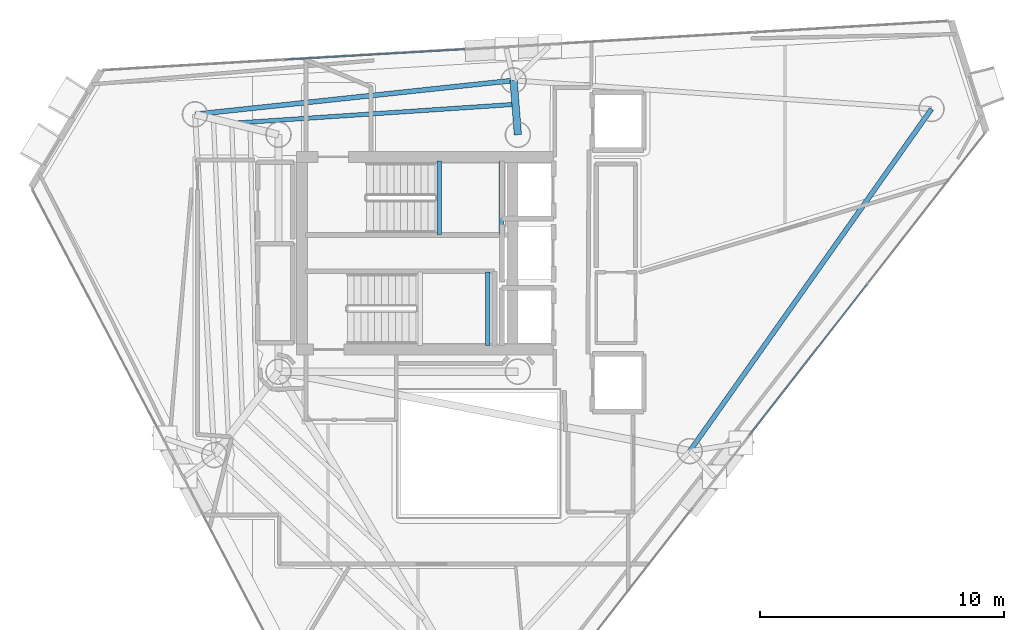
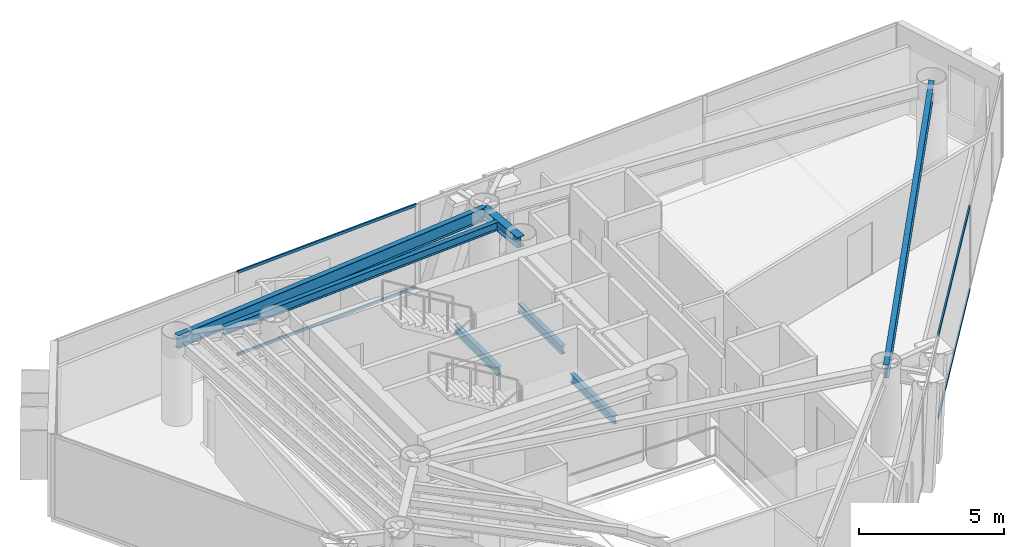
# One storey, part 9 of 18: 7 beams, 4 members, 2 elements without a shape of their own.
"""IFC4 building model written with IfcOpenShell, lengths in metres."""

from ifc_helpers import new_model, si_unit, direction, frame, origin, origin_2d, place, context, subcontext, project, spatial, hollow_rectangle, i_section, extrude, material, layer, layer_set, material_profile, profile_set, type_object, element, aggregate, save


model = new_model("IFC4")

# Units and contexts
model_context = context("Model", 3, precision=1e-05, world=origin(), true_north=direction((0.0, 1.0)))
body_context = subcontext(model_context, "Body", "Model", "MODEL_VIEW")
ifc_project = project(units=[si_unit("LENGTHUNIT", "METRE"), si_unit("AREAUNIT", "SQUARE_METRE"), si_unit("VOLUMEUNIT", "CUBIC_METRE"), si_unit("PLANEANGLEUNIT", "RADIAN"), si_unit("MASSUNIT", "GRAM", prefix="KILO")], contexts=[model_context])

# Site, building, storey
site_placement = place(None, origin())
site = spatial("IfcSite", under=ifc_project, at=site_placement, CompositionType="ELEMENT")
building_placement = place(site_placement, origin())
building = spatial("IfcBuilding", under=site, at=building_placement, Name="Qianvela Tower", CompositionType="ELEMENT")
storey_placement = place(building_placement, frame((0.0, 0.0, 264.89990234375)))
storey = spatial("IfcBuildingStorey", under=building, at=storey_placement, Name="L68", CompositionType="ELEMENT", Elevation=264.89990234375)

# Beams
ifc_material_1 = material(Name="Steel Q355B", Category="steel")
ifc_material_profile_1 = material_profile(ifc_material_1, i_section(OverallWidth=0.300048828125, OverallDepth=0.43994140625, WebThickness=0.010986328125, FlangeThickness=0.01806640625, at=origin_2d()), Name="HM440x300x11x18")
ifc_profile_set_1 = profile_set([ifc_material_profile_1], Name="Steel Q355B")
beam_type_1 = type_object("IfcBeamType", Name="BM-HM440-COLL", PredefinedType="BEAM", material=ifc_profile_set_1)
beam_1_placement = place(storey_placement, frame((38.39990234375, 33.550048828125, 3.298095703125), z_axis=(-0.078396085685, 0.996922290727, 0.0), x_axis=(-0.996922290727, -0.078396085685, 0.0)))
element("IfcBeam", 1, at=beam_1_placement, inside=storey, type_object=beam_type_1, Name="L68 Radial Primary Floor Girder 2", PredefinedType="BEAM", context=body_context, shape_type="SweptSolid", body=[
    extrude(i_section(OverallWidth=0.300048828125, OverallDepth=0.43994140625, WebThickness=0.010986328125, FlangeThickness=0.01806640625, at=origin_2d()), origin(), (0.0, 0.0, 1.0), 2.229736328125),
])
ifc_material_2 = material(Name="Steel Q355B", Category="steel")
ifc_material_profile_2 = material_profile(ifc_material_2, i_section(OverallWidth=0.175048828125, OverallDepth=0.35009765625, WebThickness=0.007080078125, FlangeThickness=0.010986328125, at=origin_2d()), Name="HN350x175x7x11")
ifc_profile_set_2 = profile_set([ifc_material_profile_2], Name="Steel Q355B")
beam_type_2 = type_object("IfcBeamType", Name="BM-HN350-JOIST", PredefinedType="JOIST", material=ifc_profile_set_2)
beam_2_placement = place(storey_placement, frame((38.15625, 34.78515625, 3.343017578125), z_axis=(-0.99776569919, -0.066810250112, 0.0), x_axis=(0.066810250112, -0.99776569919, 0.0)))
element("IfcBeam", 2, at=beam_2_placement, inside=storey, type_object=beam_type_2, Name="L68 Secondary Composite Floor Joist 2.2", PredefinedType="JOIST", context=body_context, shape_type="SweptSolid", body=[
    extrude(i_section(OverallWidth=0.175048828125, OverallDepth=0.35009765625, WebThickness=0.007080078125, FlangeThickness=0.010986328125, at=origin_2d()), origin(), (0.0, 0.0, 1.0), 11.35009765625),
])
for number, where, z_axis, x_axis, name in (
    (3, (35.179931640625, 29.4599609375, 1.47509765625), (0.0, 1.0, 0.0), (-1.0, 0.0, 0.0), "L68 Stair ST-1 Landing Support Beam 1.1"),
    (4, (37.719970703125, 29.4599609375, 1.47509765625), (0.0, 1.0, 0.0), (-1.0, 0.0, 0.0), "L68 Stair ST-1 Landing Support Beam 1.2"),
    (5, (37.169921875, 24.919921875, 1.47509765625), (0.0, 1.0, 0.0), (-1.0, 0.0, 0.0), "L68 Stair ST-2 Landing Support Beam 1.2"),
):
    element("IfcBeam", number, at=place(storey_placement, frame(where, z_axis=z_axis, x_axis=x_axis)), inside=storey, type_object=beam_type_2, Name=name, PredefinedType="JOIST", context=body_context, shape_type="SweptSolid", body=[
        extrude(i_section(OverallWidth=0.175048828125, OverallDepth=0.35009765625, WebThickness=0.007080078125, FlangeThickness=0.010986328125, at=origin_2d()), origin(), (0.0, 0.0, 1.0), 3.02001953125),
    ])
ifc_material_3 = material(Name="Steel Q355B", Category="steel")
ifc_material_profile_3 = material_profile(ifc_material_3, i_section(OverallWidth=0.199951171875, OverallDepth=0.550048828125, WebThickness=0.010009765625, FlangeThickness=0.01611328125, at=origin_2d()), Name="HN550x200x10x16")
ifc_profile_set_3 = profile_set([ifc_material_profile_3], Name="Steel Q355B")
beam_type_3 = type_object("IfcBeamType", Name="BM-HN550-GIRD", PredefinedType="BEAM", material=ifc_profile_set_3)
beam_3_placement = place(storey_placement, frame((38.22509765625, 35.77294921875, 3.2431640625), z_axis=(-0.994378160395, -0.105887081975, 0.0), x_axis=(0.105887081975, -0.994378160395, 0.0)))
element("IfcBeam", 6, at=beam_3_placement, inside=storey, type_object=beam_type_3, Name="L68 Perimeter Ring Spandrel Girder 2", PredefinedType="BEAM", context=body_context, shape_type="SweptSolid", body=[
    extrude(i_section(OverallWidth=0.199951171875, OverallDepth=0.550048828125, WebThickness=0.010009765625, FlangeThickness=0.01611328125, at=origin_2d()), origin(), (0.0, 0.0, 1.0), 13.116943359375),
])
beam_4_placement = place(storey_placement, frame((45.43603515625, 20.597900390625, 3.2431640625), z_axis=(0.577019604961, 0.816730295441, 0.0), x_axis=(-0.816730295441, 0.577019604961, 0.0)))
element("IfcBeam", 7, at=beam_4_placement, inside=storey, type_object=beam_type_3, Name="L68 Perimeter Ring Spandrel Girder 6", PredefinedType="BEAM", context=body_context, shape_type="SweptSolid", body=[
    extrude(i_section(OverallWidth=0.199951171875, OverallDepth=0.550048828125, WebThickness=0.010009765625, FlangeThickness=0.01611328125, at=origin_2d()), origin(), (0.0, 0.0, 1.0), 17.150146484375),
])

# Curtain wall, members
ifc_material_4 = material(Name="Anodised Architectural Aluminium and Low-E Glass", Category="aluminium")
ifc_layer = layer(ifc_material_4, 0.159912109375)
ifc_layer_set = layer_set([ifc_layer], Name="Anodised Architectural Aluminium and Low-E Glass")
curtain_wall_type = type_object("IfcCurtainWallType", Name="CW-COLIV-Z56", PredefinedType="USERDEFINED", material=ifc_layer_set)
curtain_wall_1_placement = place(storey_placement, origin())
curtain_wall_1 = element("IfcCurtainWall", 8, at=curtain_wall_1_placement, inside=storey, type_object=curtain_wall_type, Name="L68 CW-COLIV-Z56 Curtain Wall 02C", ObjectType="CURTAIN_WALL_SYSTEM", PredefinedType="USERDEFINED")
ifc_material_5 = material(Name="Anodised Architectural Aluminium 6063-T6", Category="aluminium")
ifc_material_profile_4 = material_profile(ifc_material_5, hollow_rectangle(XDim=0.06005859375, YDim=0.114990234375, WallThickness=0.00390625, at=origin_2d()), Name="ALU-TRAN-60x115")
ifc_profile_set_4 = profile_set([ifc_material_profile_4], Name="Anodised Architectural Aluminium 6063-T6")
member_type = type_object("IfcMemberType", Name="CW-COLIV-Z56-TRAN", PredefinedType="USERDEFINED", material=ifc_profile_set_4)
member_1_placement = place(storey_placement, frame((36.23876953125, 37.05029296875, 0.030029296875), z_axis=(-0.99831376826, -0.058048428943, 0.0), x_axis=(0.058048428943, -0.99831376826, 0.0)))
member_1 = element("IfcMember", 9, at=member_1_placement, type_object=member_type, Name="CW-5 transom 1.1", ObjectType="TRANSOM", PredefinedType="USERDEFINED", context=body_context, shape_type="SweptSolid", body=[
    extrude(hollow_rectangle(XDim=0.06005859375, YDim=0.114990234375, WallThickness=0.00390625, at=origin_2d()), origin(), (0.0, 0.0, 1.0), 7.372802734375),
])
member_2_placement = place(storey_placement, frame((36.23876953125, 37.05029296875, 3.489990234375), z_axis=(-0.99831376826, -0.058048428943, 0.0), x_axis=(0.058048428943, -0.99831376826, 0.0)))
member_2 = element("IfcMember", 10, at=member_2_placement, type_object=member_type, Name="CW-5 transom 1.2", ObjectType="TRANSOM", PredefinedType="USERDEFINED", context=body_context, shape_type="SweptSolid", body=[
    extrude(hollow_rectangle(XDim=0.06005859375, YDim=0.114990234375, WallThickness=0.00390625, at=origin_2d()), origin(), (0.0, 0.0, 1.0), 7.372802734375),
])
aggregate(curtain_wall_1, [member_1, member_2])

curtain_wall_2_placement = place(storey_placement, origin())
curtain_wall_2 = element("IfcCurtainWall", 11, at=curtain_wall_2_placement, inside=storey, type_object=curtain_wall_type, Name="L68 CW-COLIV-Z56 Curtain Wall 06C", ObjectType="CURTAIN_WALL_SYSTEM", PredefinedType="USERDEFINED")
member_3_placement = place(storey_placement, frame((47.898193359375, 21.274658203125, 0.030029296875), z_axis=(0.615230420215, 0.788347340988, 0.0), x_axis=(-0.788347340988, 0.615230420215, 0.0)))
member_3 = element("IfcMember", 12, at=member_3_placement, type_object=member_type, Name="CW-5 transom 1.1", ObjectType="TRANSOM", PredefinedType="USERDEFINED", context=body_context, shape_type="SweptSolid", body=[
    extrude(hollow_rectangle(XDim=0.06005859375, YDim=0.114990234375, WallThickness=0.00390625, at=origin_2d()), origin(), (0.0, 0.0, 1.0), 7.779052734375),
])
member_4_placement = place(storey_placement, frame((47.898193359375, 21.274658203125, 3.489990234375), z_axis=(0.615230420215, 0.788347340988, 0.0), x_axis=(-0.788347340988, 0.615230420215, 0.0)))
member_4 = element("IfcMember", 13, at=member_4_placement, type_object=member_type, Name="CW-5 transom 1.2", ObjectType="TRANSOM", PredefinedType="USERDEFINED", context=body_context, shape_type="SweptSolid", body=[
    extrude(hollow_rectangle(XDim=0.06005859375, YDim=0.114990234375, WallThickness=0.00390625, at=origin_2d()), origin(), (0.0, 0.0, 1.0), 7.779052734375),
])
aggregate(curtain_wall_2, [member_3, member_4])

save(model, "model.ifc")
